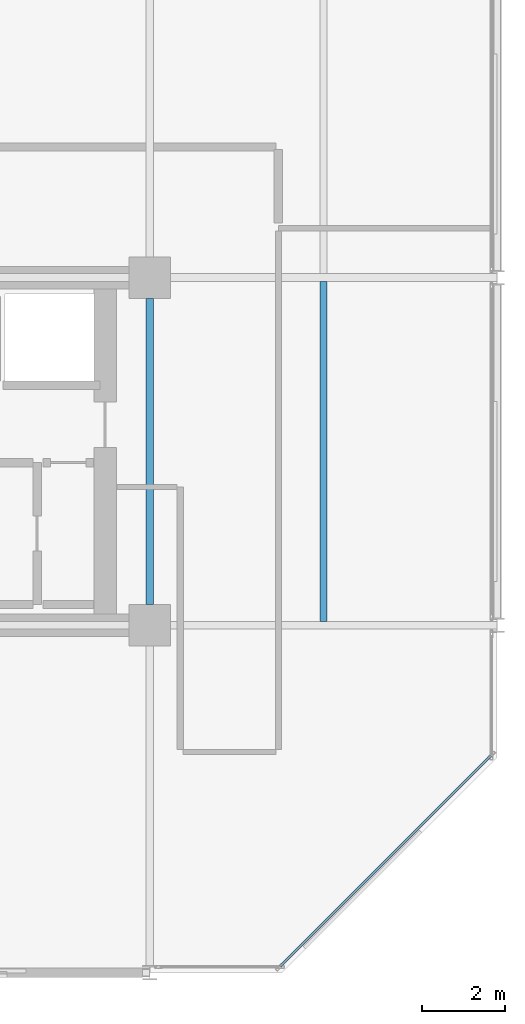
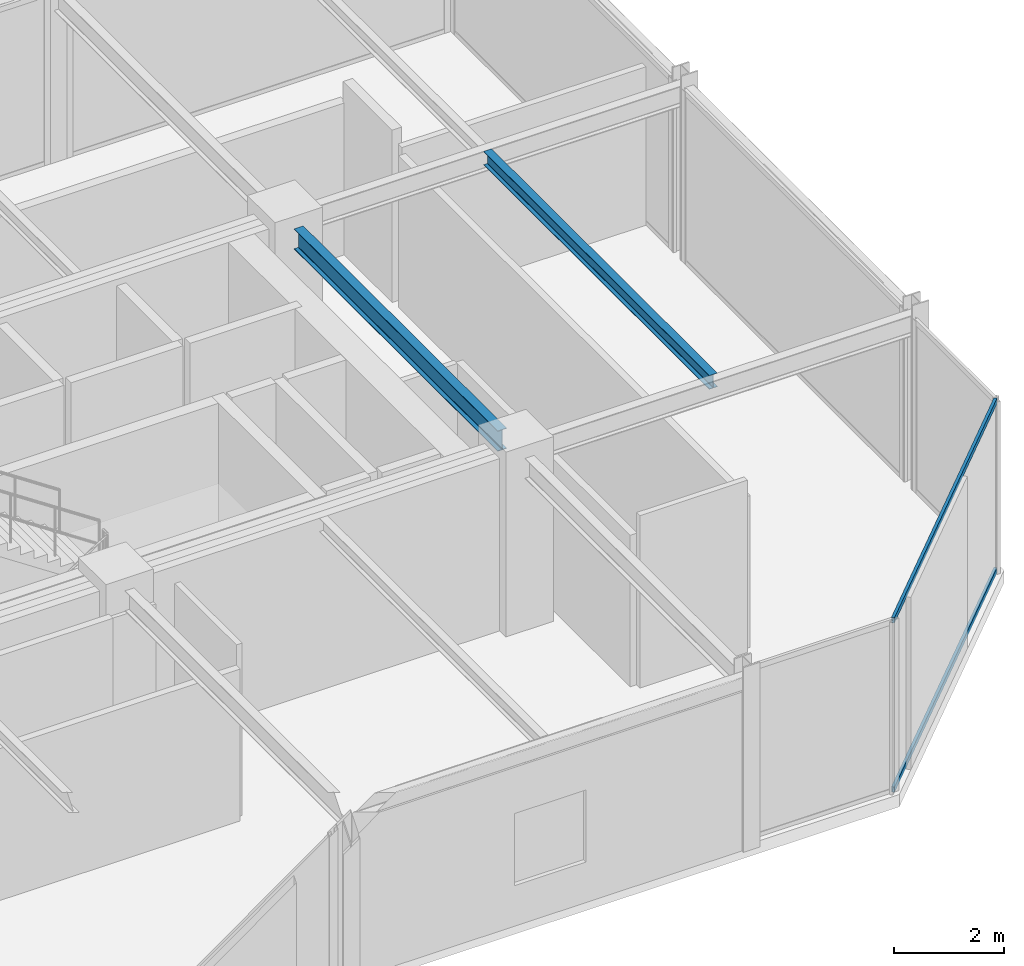
# One storey, part 12 of 29: 2 beams, 2 members, 1 element without a shape of its own.
"""IFC4 building model written with IfcOpenShell, lengths in metres."""

from ifc_helpers import new_model, si_unit, direction, frame, origin, origin_2d, place, context, subcontext, project, spatial, hollow_rectangle, i_section, extrude, material, layer, layer_set, material_profile, profile_set, type_object, element, aggregate, save


model = new_model("IFC4")

# Units and contexts
model_context = context("Model", 3, precision=1e-05, world=origin(), true_north=direction((0.0, 1.0)))
body_context = subcontext(model_context, "Body", "Model", "MODEL_VIEW")
ifc_project = project(units=[si_unit("LENGTHUNIT", "METRE"), si_unit("AREAUNIT", "SQUARE_METRE"), si_unit("VOLUMEUNIT", "CUBIC_METRE"), si_unit("PLANEANGLEUNIT", "RADIAN"), si_unit("MASSUNIT", "GRAM", prefix="KILO")], contexts=[model_context])

# Site, building, storey
site_placement = place(None, origin())
site = spatial("IfcSite", under=ifc_project, at=site_placement, CompositionType="ELEMENT")
building_placement = place(site_placement, origin())
building = spatial("IfcBuilding", under=site, at=building_placement, Name="Nerrivon Quay Data Exchange", CompositionType="ELEMENT")
storey_placement = place(building_placement, frame((0.0, 0.0, 175.5)))
storey = spatial("IfcBuildingStorey", under=building, at=storey_placement, Name="L41", CompositionType="ELEMENT", Elevation=175.5)

# Beams
ifc_material_1 = material(Name="Steel Grade 350", Category="steel")
ifc_material_profile_1 = material_profile(ifc_material_1, i_section(OverallWidth=0.18994140625, OverallDepth=0.4541015625, WebThickness=0.008544921875, FlangeThickness=0.0126953125, FilletRadius=0.011474609375, at=origin_2d()), Name="460UB67.1")
ifc_profile_set_1 = profile_set([ifc_material_profile_1], Name="Steel Grade 350")
beam_type_1 = type_object("IfcBeamType", Name="BM-G6-460UB67", PredefinedType="BEAM", material=ifc_profile_set_1)
beam_1_placement = place(storey_placement, frame((33.60009765625, 8.89990234375, 3.597900390625), z_axis=(0.0, 1.0, 0.0), x_axis=(-1.0, 0.0, 0.0)))
element("IfcBeam", 1, at=beam_1_placement, inside=storey, type_object=beam_type_1, Name="L41 NS Girder X=33.6 (8.4..16.8)", PredefinedType="BEAM", context=body_context, shape_type="SweptSolid", body=[
    extrude(i_section(OverallWidth=0.18994140625, OverallDepth=0.4541015625, WebThickness=0.008544921875, FlangeThickness=0.0126953125, FilletRadius=0.011474609375, at=origin_2d()), origin(), (0.0, 0.0, 1.0), 7.400146484375),
])
ifc_material_profile_2 = material_profile(ifc_material_1, i_section(OverallWidth=0.166015625, OverallDepth=0.306884765625, WebThickness=0.006591796875, FlangeThickness=0.01171875, FilletRadius=0.011474609375, at=origin_2d()), Name="310UB46.2")
ifc_profile_set_2 = profile_set([ifc_material_profile_2], Name="Steel Grade 350")
beam_type_2 = type_object("IfcBeamType", Name="BM-J5-310UB46", PredefinedType="JOIST", material=ifc_profile_set_2)
beam_2_placement = place(storey_placement, frame((37.800048828125, 8.49560546875, 3.67138671875), z_axis=(0.0, 1.0, 0.0), x_axis=(-1.0, 0.0, 0.0)))
element("IfcBeam", 2, at=beam_2_placement, inside=storey, type_object=beam_type_2, Name="L41 Secondary Joist X=37.8 (8.4..16.8)", PredefinedType="JOIST", context=body_context, shape_type="SweptSolid", body=[
    extrude(i_section(OverallWidth=0.166015625, OverallDepth=0.306884765625, WebThickness=0.006591796875, FlangeThickness=0.01171875, FilletRadius=0.011474609375, at=origin_2d()), origin(), (0.0, 0.0, 1.0), 8.208984375),
])

# Curtain wall, members
ifc_material_2 = material(Name="Anodised aluminium 6063-T6", Category="aluminium")
ifc_layer = layer(ifc_material_2, 0.195068359375)
ifc_layer_set = layer_set([ifc_layer], Name="Anodised aluminium 6063-T6")
curtain_wall_type = type_object("IfcCurtainWallType", Name="CW-SYS-06", PredefinedType="NOTDEFINED", material=ifc_layer_set)
curtain_wall_placement = place(storey_placement, origin())
curtain_wall = element("IfcCurtainWall", 3, at=curtain_wall_placement, inside=storey, type_object=curtain_wall_type, Name="L41 Unitised Curtain Wall 21", PredefinedType="NOTDEFINED")
ifc_material_profile_3 = material_profile(ifc_material_2, hollow_rectangle(XDim=0.06005859375, YDim=0.1201171875, WallThickness=0.003173828125, at=origin_2d()), Name="ALU-TRAN-120x60")
ifc_profile_set_3 = profile_set([ifc_material_profile_3], Name="Anodised aluminium 6063-T6")
member_type = type_object("IfcMemberType", Name="CWT-120x60", PredefinedType="USERDEFINED", material=ifc_profile_set_3)
member_1_placement = place(storey_placement, frame((41.847900390625, 5.245849609375, 0.032470703125), z_axis=(-0.707106781187, -0.707106781187, 0.0), x_axis=(0.707106781187, -0.707106781187, 0.0)))
member_1 = element("IfcMember", 4, at=member_1_placement, type_object=member_type, Name="CW06 transom 1.1", ObjectType="TRANSOM", PredefinedType="USERDEFINED", context=body_context, shape_type="SweptSolid", body=[
    extrude(hollow_rectangle(XDim=0.06005859375, YDim=0.1201171875, WallThickness=0.003173828125, at=origin_2d()), origin(), (0.0, 0.0, 1.0), 7.20361328125),
])
member_2_placement = place(storey_placement, frame((41.847900390625, 5.245849609375, 3.79248046875), z_axis=(-0.707106781187, -0.707106781187, 0.0), x_axis=(0.707106781187, -0.707106781187, 0.0)))
member_2 = element("IfcMember", 5, at=member_2_placement, type_object=member_type, Name="CW06 transom 1.2", ObjectType="TRANSOM", PredefinedType="USERDEFINED", context=body_context, shape_type="SweptSolid", body=[
    extrude(hollow_rectangle(XDim=0.06005859375, YDim=0.1201171875, WallThickness=0.003173828125, at=origin_2d()), origin(), (0.0, 0.0, 1.0), 7.20361328125),
])
aggregate(curtain_wall, [member_1, member_2])

save(model, "model.ifc")
